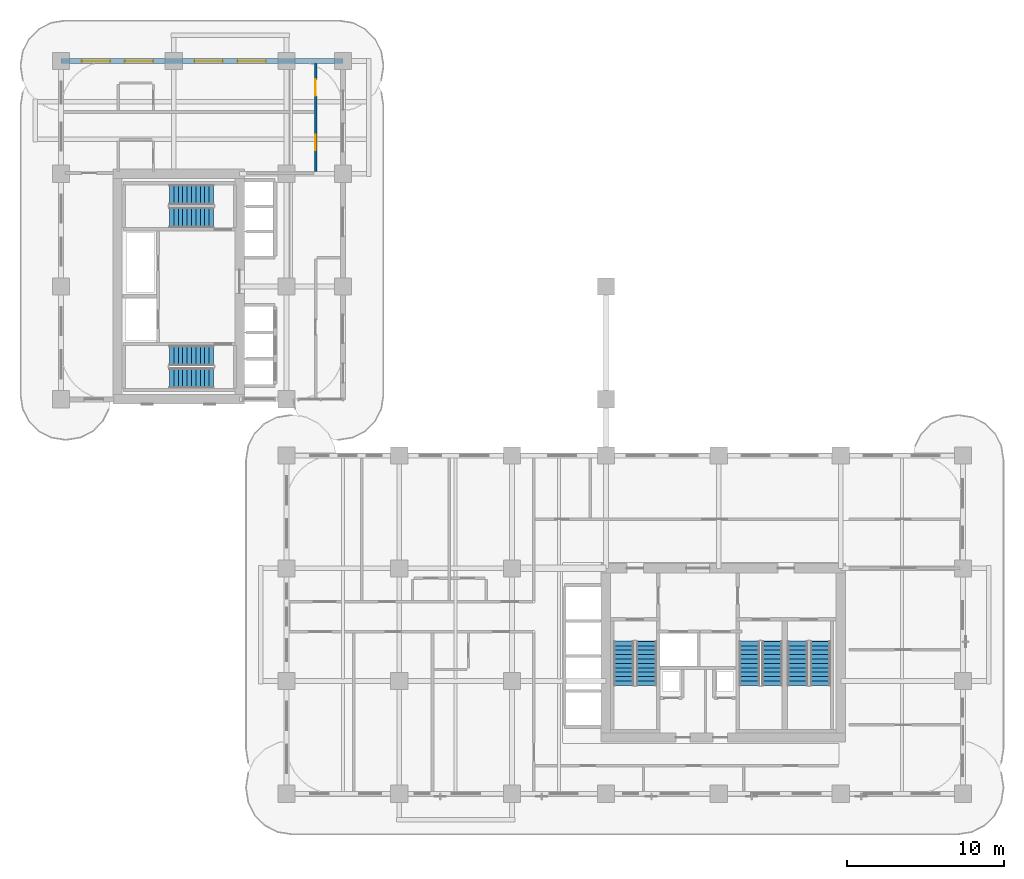
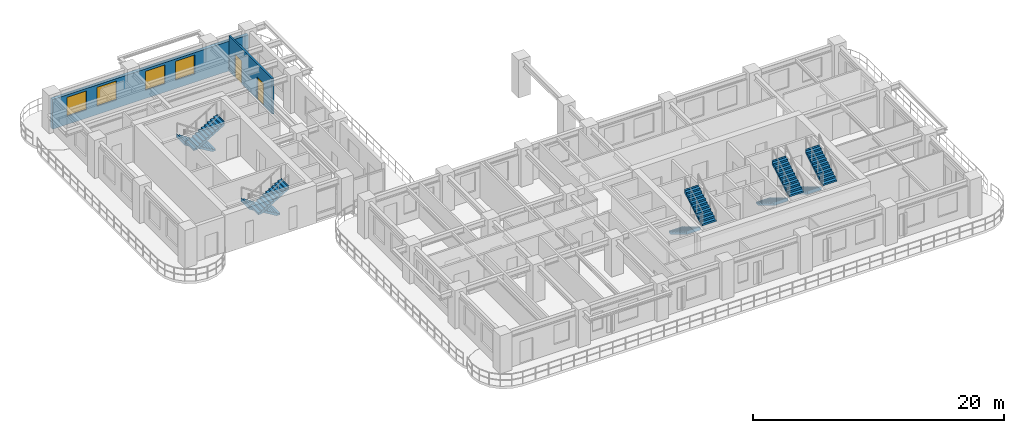
# One storey, part 12 of 19: 10 stair flights, 4 windows, 2 doors, 2 walls, 6 openings, 5 elements without a shape of their own.
"""IFC4 building model written with IfcOpenShell, lengths in metres."""

from ifc_helpers import new_model, si_unit, derived_unit, direction, frame, frame_2d, origin, place, context, subcontext, project, spatial, polyline, rectangle, outline, extrude, source, transform, mapped, material, layer, layer_set, type_object, type_shapes, element, fill, aggregate, save


model = new_model("IFC4")

# Units and contexts
model_context = context("Model", 3, precision=1e-05, world=origin(), true_north=direction((0.0, 1.0)))
body_context = subcontext(model_context, "Body", "Model", "MODEL_VIEW")
ifc_project = project(units=[si_unit("LENGTHUNIT", "METRE"), si_unit("AREAUNIT", "SQUARE_METRE"), si_unit("VOLUMEUNIT", "CUBIC_METRE"), si_unit("PLANEANGLEUNIT", "RADIAN"), si_unit("MASSUNIT", "GRAM", prefix="KILO"), si_unit("THERMODYNAMICTEMPERATUREUNIT", "KELVIN"), si_unit("POWERUNIT", "WATT"), derived_unit("THERMALTRANSMITTANCEUNIT", [(si_unit("POWERUNIT", "WATT"), 1), (si_unit("AREAUNIT", "SQUARE_METRE"), -1), (si_unit("THERMODYNAMICTEMPERATUREUNIT", "KELVIN"), -1)])], contexts=[model_context])

# Site, building, storey
site_placement = place(None, origin())
site = spatial("IfcSite", under=ifc_project, at=site_placement, CompositionType="ELEMENT")
building_placement = place(site_placement, origin())
building = spatial("IfcBuilding", under=site, at=building_placement, Name="Zahravan Archway Hotel and Residences", CompositionType="ELEMENT")
storey_placement = place(building_placement, frame((0.0, 0.0, 54.60009765625)))
storey = spatial("IfcBuildingStorey", under=building, at=storey_placement, Name="L12", CompositionType="ELEMENT", Elevation=54.60009765625)

# Wall, openings, windows
ifc_material_1 = material(Name="Agra Buff Sandstone & Insulated Backup", Category="masonry")
ifc_layer_1 = layer(ifc_material_1, 0.320068359375, Name="Agra Buff Sandstone & Insulated Backup", Category="masonry")
ifc_layer_set_1 = layer_set([ifc_layer_1], Name="Agra Buff Sandstone & Insulated Backup")
wall_type_1 = type_object("IfcWallType", Name="EW-SAND-320", PredefinedType="SOLIDWALL", material=ifc_layer_set_1)
wall_1_placement = place(storey_placement, frame((0.0, 46.800048828125, 0.0), z_axis=(0.0, 0.0, 1.0), x_axis=(1.0, 0.0, 0.0)))
wall_1 = element("IfcWall", 1, at=wall_1_placement, inside=storey, type_object=wall_type_1, Name="L12 Exterior Sandstone Wall WB-N", PredefinedType="SOLIDWALL", context=body_context, shape_type="SweptSolid", body=[
    extrude(rectangle(XDim=18.0, YDim=0.320068359375, at=frame_2d((9.0, 0.0))), origin(), (0.0, 0.0, 1.0), 2.885009765625),
])
opening_1_placement = place(wall_1_placement, frame((1.324951171875, 0.0, 0.800048828125)))
opening_1 = element("IfcOpeningElement", 2, at=opening_1_placement, cuts=wall_1, Name="Opening W-02", PredefinedType="OPENING", context=body_context, shape_type="SweptSolid", body=[
    extrude(rectangle(XDim=1.800048828125, YDim=1.85009765625, at=frame_2d((0.89990234375, 0.925048828125))), frame((0.0, 0.169921875, 0.0), z_axis=(0.0, -1.0, 0.0), x_axis=(1.0, 0.0, 0.0)), (0.0, 0.0, 1.0), 0.340087890625),
])
opening_2_placement = place(wall_1_placement, frame((4.074951171875, 0.0, 0.800048828125)))
opening_2 = element("IfcOpeningElement", 3, at=opening_2_placement, cuts=wall_1, Name="Opening W-02", PredefinedType="OPENING", context=body_context, shape_type="SweptSolid", body=[
    extrude(rectangle(XDim=1.800048828125, YDim=1.85009765625, at=frame_2d((0.89990234375, 0.925048828125))), frame((0.0, 0.169921875, 0.0), z_axis=(0.0, -1.0, 0.0), x_axis=(1.0, 0.0, 0.0)), (0.0, 0.0, 1.0), 0.340087890625),
])
opening_3_placement = place(wall_1_placement, frame((8.52490234375, 0.0, 0.800048828125)))
opening_3 = element("IfcOpeningElement", 4, at=opening_3_placement, cuts=wall_1, Name="Opening W-02", PredefinedType="OPENING", context=body_context, shape_type="SweptSolid", body=[
    extrude(rectangle(XDim=1.800048828125, YDim=1.85009765625, at=frame_2d((0.89990234375, 0.925048828125))), frame((0.0, 0.169921875, 0.0), z_axis=(0.0, -1.0, 0.0), x_axis=(1.0, 0.0, 0.0)), (0.0, 0.0, 1.0), 0.340087890625),
])
opening_4_placement = place(wall_1_placement, frame((11.27490234375, 0.0, 0.800048828125)))
opening_4 = element("IfcOpeningElement", 5, at=opening_4_placement, cuts=wall_1, Name="Opening W-02", PredefinedType="OPENING", context=body_context, shape_type="SweptSolid", body=[
    extrude(rectangle(XDim=1.800048828125, YDim=1.85009765625, at=frame_2d((0.89990234375, 0.925048828125))), frame((0.0, 0.169921875, 0.0), z_axis=(0.0, -1.0, 0.0), x_axis=(1.0, 0.0, 0.0)), (0.0, 0.0, 1.0), 0.340087890625),
])
ifc_material_2 = material(Name="Bronze-Anodized Thermal-Break Aluminium & Low-E Glass", Category="aluminium")
window_type = type_object("IfcWindowType", Name="WIN-TWR-1800", PartitioningType="DOUBLE_PANEL_VERTICAL", PredefinedType="WINDOW", material=ifc_material_2)
shared_shape_1 = source(origin(), body_context, "Body", "SweptSolid", [
    extrude(rectangle(XDim=1.800048828125, YDim=1.85009765625, at=frame_2d((0.89990234375, 0.925048828125))), frame((0.0, 0.030029296875, 0.0), z_axis=(0.0, -1.0, 0.0), x_axis=(1.0, 0.0, 0.0)), (0.0, 0.0, 1.0), 0.06005859375),
])
type_shapes(window_type, [shared_shape_1])
window_1_placement = place(opening_1_placement, origin())
window_1 = element("IfcWindow", 6, at=window_1_placement, inside=storey, type_object=window_type, Name="L12 Loggia Window 37", OverallHeight=1.85009765625, OverallWidth=1.800048828125, PartitioningType="DOUBLE_PANEL_VERTICAL", PredefinedType="WINDOW", context=body_context, shape_type="MappedRepresentation", body=[
    mapped(shared_shape_1, transform((0.0, 0.0, 0.0), scale=1.0)),
])
fill(opening_1, window_1)
window_2_placement = place(opening_2_placement, origin())
window_2 = element("IfcWindow", 7, at=window_2_placement, inside=storey, type_object=window_type, Name="L12 Loggia Window 38", OverallHeight=1.85009765625, OverallWidth=1.800048828125, PartitioningType="DOUBLE_PANEL_VERTICAL", PredefinedType="WINDOW", context=body_context, shape_type="MappedRepresentation", body=[
    mapped(shared_shape_1, transform((0.0, 0.0, 0.0), scale=1.0)),
])
fill(opening_2, window_2)
window_3_placement = place(opening_3_placement, origin())
window_3 = element("IfcWindow", 8, at=window_3_placement, inside=storey, type_object=window_type, Name="L12 Loggia Window 39", OverallHeight=1.85009765625, OverallWidth=1.800048828125, PartitioningType="DOUBLE_PANEL_VERTICAL", PredefinedType="WINDOW", context=body_context, shape_type="MappedRepresentation", body=[
    mapped(shared_shape_1, transform((0.0, 0.0, 0.0), scale=1.0)),
])
fill(opening_3, window_3)
window_4_placement = place(opening_4_placement, origin())
window_4 = element("IfcWindow", 9, at=window_4_placement, inside=storey, type_object=window_type, Name="L12 Loggia Window 40", OverallHeight=1.85009765625, OverallWidth=1.800048828125, PartitioningType="DOUBLE_PANEL_VERTICAL", PredefinedType="WINDOW", context=body_context, shape_type="MappedRepresentation", body=[
    mapped(shared_shape_1, transform((0.0, 0.0, 0.0), scale=1.0)),
])
fill(opening_4, window_4)

# Wall, openings, doors
ifc_material_3 = material(Name="Fire-Rated Gypsum & Concrete Block", Category="concrete")
ifc_layer_2 = layer(ifc_material_3, 0.159912109375, Name="Fire-Rated Gypsum & Concrete Block", Category="concrete")
ifc_layer_set_2 = layer_set([ifc_layer_2], Name="Fire-Rated Gypsum & Concrete Block")
wall_type_2 = type_object("IfcWallType", Name="PW-CORR-160", PredefinedType="PARTITIONING", material=ifc_layer_set_2)
wall_2_placement = place(storey_placement, frame((16.25, 39.739990234375, 0.0), z_axis=(0.0, 0.0, 1.0), x_axis=(0.0, 1.0, 0.0)))
wall_2 = element("IfcWall", 10, at=wall_2_placement, inside=storey, type_object=wall_type_2, Name="L12 Partition WB-CN", PredefinedType="PARTITIONING", context=body_context, shape_type="SweptSolid", body=[
    extrude(rectangle(XDim=6.89208984375, YDim=0.159912109375, at=frame_2d((3.446044921875, 0.0))), origin(), (0.0, 0.0, 1.0), 3.449951171875),
])
opening_5_placement = place(wall_2_placement, frame((1.360107421875, 0.0, 0.0)))
opening_5 = element("IfcOpeningElement", 11, at=opening_5_placement, cuts=wall_2, Name="Opening D-U2", PredefinedType="OPENING", context=body_context, shape_type="SweptSolid", body=[
    extrude(rectangle(XDim=1.0, YDim=2.199951171875, at=frame_2d((0.5, 1.10009765625))), frame((0.0, 0.08984375, 0.0), z_axis=(0.0, -1.0, 0.0), x_axis=(1.0, 0.0, 0.0)), (0.0, 0.0, 1.0), 0.179931640625),
])
opening_6_placement = place(wall_2_placement, frame((4.8349609375, 0.0, 0.0)))
opening_6 = element("IfcOpeningElement", 12, at=opening_6_placement, cuts=wall_2, Name="Opening D-U1", PredefinedType="OPENING", context=body_context, shape_type="SweptSolid", body=[
    extrude(rectangle(XDim=1.050048828125, YDim=2.25, at=frame_2d((0.52490234375, 1.125))), frame((0.0, 0.08984375, 0.0), z_axis=(0.0, -1.0, 0.0), x_axis=(1.0, 0.0, 0.0)), (0.0, 0.0, 1.0), 0.179931640625),
])
ifc_material_4 = material(Name="Hardwood Veneer Timber", Category="wood")
door_type_1 = type_object("IfcDoorType", Name="ID-UNIT-1050", OperationType="NOTDEFINED", PredefinedType="DOOR", material=ifc_material_4)
shared_shape_2 = source(origin(), body_context, "Body", "SweptSolid", [
    extrude(rectangle(XDim=1.050048828125, YDim=2.25, at=frame_2d((0.52490234375, 1.125))), frame((0.0, 0.02490234375, 0.0), z_axis=(0.0, -1.0, 0.0), x_axis=(1.0, 0.0, 0.0)), (0.0, 0.0, 1.0), 0.050048828125),
])
type_shapes(door_type_1, [shared_shape_2])
door_1_placement = place(opening_6_placement, origin())
door_1 = element("IfcDoor", 13, at=door_1_placement, inside=storey, type_object=door_type_1, Name="L12 Hotel Guestroom 62 Entrance Door", OperationType="SINGLE_SWING_LEFT", OverallHeight=2.25, OverallWidth=1.050048828125, PredefinedType="DOOR", context=body_context, shape_type="MappedRepresentation", body=[
    mapped(shared_shape_2, transform((0.0, 0.0, 0.0), scale=1.0)),
])
fill(opening_6, door_1)
door_type_2 = type_object("IfcDoorType", Name="ID-UNIT-1000", OperationType="NOTDEFINED", PredefinedType="DOOR", material=ifc_material_4)
shared_shape_3 = source(origin(), body_context, "Body", "SweptSolid", [
    extrude(rectangle(XDim=1.0, YDim=2.199951171875, at=frame_2d((0.5, 1.10009765625))), frame((0.0, 0.02490234375, 0.0), z_axis=(0.0, -1.0, 0.0), x_axis=(1.0, 0.0, 0.0)), (0.0, 0.0, 1.0), 0.050048828125),
])
type_shapes(door_type_2, [shared_shape_3])
door_2_placement = place(opening_5_placement, origin())
door_2 = element("IfcDoor", 14, at=door_2_placement, inside=storey, type_object=door_type_2, Name="L12 Hotel Guestroom 61 Entrance Door", OperationType="SINGLE_SWING_LEFT", OverallHeight=2.199951171875, OverallWidth=1.0, PredefinedType="DOOR", context=body_context, shape_type="MappedRepresentation", body=[
    mapped(shared_shape_3, transform((0.0, 0.0, 0.0), scale=1.0)),
])
fill(opening_5, door_2)

# Stair, stair flights
ifc_material_5 = material(Name="Concrete C50/60", Category="concrete")
stair_type = type_object("IfcStairType", Name="STR-CORE-1300", PredefinedType="HALF_TURN_STAIR", material=ifc_material_5)
stair_1_placement = place(storey_placement, origin())
stair_1 = element("IfcStair", 15, at=stair_1_placement, inside=storey, type_object=stair_type, Name="L12 Core A Exit Stair 1", PredefinedType="HALF_TURN_STAIR")
ifc_layer_3 = layer(ifc_material_5, 0.199951171875, Name="Concrete C50/60", Category="concrete")
ifc_layer_set_3 = layer_set([ifc_layer_3], Name="Concrete C50/60")
stair_flight_type = type_object("IfcStairFlightType", Name="SFL-CORE-1300", PredefinedType="STRAIGHT", material=ifc_layer_set_3)
shared_shape_4 = source(origin(), body_context, "Body", "SweptSolid", [
    extrude(outline(polyline([(-0.01611328125, 0.0), (-0.01611328125, 0.168212890625), (0.280029296875, 0.168212890625), (0.280029296875, 0.33642578125), (0.56005859375, 0.33642578125), (0.56005859375, 0.504638671875), (0.840087890625, 0.504638671875), (0.840087890625, 0.672607421875), (1.1201171875, 0.672607421875), (1.1201171875, 0.8408203125), (1.39990234375, 0.8408203125), (1.39990234375, 1.009033203125), (1.679931640625, 1.009033203125), (1.679931640625, 1.17724609375), (1.9599609375, 1.17724609375), (1.9599609375, 1.345458984375), (2.239990234375, 1.345458984375), (2.239990234375, 1.513671875), (2.52001953125, 1.513671875), (2.52001953125, 1.681884765625), (2.800048828125, 1.681884765625), (2.800048828125, 1.85009765625), (2.816162109375, 1.85009765625), (2.816162109375, 1.5068359375), (0.291015625, 0.0), (-0.01611328125, 0.0)])), frame((0.0, 0.64990234375, 0.0), z_axis=(0.0, -1.0, 0.0), x_axis=(1.0, 0.0, 0.0)), (0.0, 0.0, 1.0), 1.300048828125),
])
stair_flight_1_placement = place(storey_placement, frame((35.949951171875, 9.72998046875, 0.0), z_axis=(0.0, 0.0, 1.0), x_axis=(0.0, -1.0, 0.0)))
stair_flight_1 = element("IfcStairFlight", 16, at=stair_flight_1_placement, type_object=stair_flight_type, Name="ST-A1 flight 1", NumberOfRisers=11, NumberOfTreads=10, PredefinedType="STRAIGHT", RiserHeight=0.168181818, TreadLength=0.28, context=body_context, shape_type="MappedRepresentation", body=[
    mapped(shared_shape_4, transform((0.0, 0.0, 0.0), scale=1.0)),
])
stair_flight_2_placement = place(storey_placement, frame((37.389892578125, 6.929931640625, 1.849853515625), z_axis=(0.0, 0.0, 1.0), x_axis=(0.0, 1.0, 0.0)))
stair_flight_2 = element("IfcStairFlight", 17, at=stair_flight_2_placement, type_object=stair_flight_type, Name="ST-A1 flight 2", NumberOfRisers=11, NumberOfTreads=10, PredefinedType="STRAIGHT", RiserHeight=0.168181818, TreadLength=0.28, context=body_context, shape_type="MappedRepresentation", body=[
    mapped(shared_shape_4, transform((0.0, 0.0, 0.0), scale=1.0)),
])
aggregate(stair_1, [stair_flight_1, stair_flight_2])

stair_2_placement = place(storey_placement, origin())
stair_2 = element("IfcStair", 18, at=stair_2_placement, inside=storey, type_object=stair_type, Name="L12 Core A Exit Stair 2", PredefinedType="HALF_TURN_STAIR")
stair_flight_3_placement = place(storey_placement, frame((43.969970703125, 9.72998046875, 0.0), z_axis=(0.0, 0.0, 1.0), x_axis=(0.0, -1.0, 0.0)))
stair_flight_3 = element("IfcStairFlight", 19, at=stair_flight_3_placement, type_object=stair_flight_type, Name="ST-A2 flight 1", NumberOfRisers=11, NumberOfTreads=10, PredefinedType="STRAIGHT", RiserHeight=0.168181818, TreadLength=0.28, context=body_context, shape_type="MappedRepresentation", body=[
    mapped(shared_shape_4, transform((0.0, 0.0, 0.0), scale=1.0)),
])
stair_flight_4_placement = place(storey_placement, frame((45.409912109375, 6.929931640625, 1.849853515625), z_axis=(0.0, 0.0, 1.0), x_axis=(0.0, 1.0, 0.0)))
stair_flight_4 = element("IfcStairFlight", 20, at=stair_flight_4_placement, type_object=stair_flight_type, Name="ST-A2 flight 2", NumberOfRisers=11, NumberOfTreads=10, PredefinedType="STRAIGHT", RiserHeight=0.168181818, TreadLength=0.28, context=body_context, shape_type="MappedRepresentation", body=[
    mapped(shared_shape_4, transform((0.0, 0.0, 0.0), scale=1.0)),
])
aggregate(stair_2, [stair_flight_3, stair_flight_4])

stair_3_placement = place(storey_placement, origin())
stair_3 = element("IfcStair", 21, at=stair_3_placement, inside=storey, type_object=stair_type, Name="L12 Core A Exit Stair 3", PredefinedType="HALF_TURN_STAIR")
stair_flight_5_placement = place(storey_placement, frame((47.050048828125, 9.72998046875, 0.0), z_axis=(0.0, 0.0, 1.0), x_axis=(0.0, -1.0, 0.0)))
stair_flight_5 = element("IfcStairFlight", 22, at=stair_flight_5_placement, type_object=stair_flight_type, Name="ST-A3 flight 1", NumberOfRisers=11, NumberOfTreads=10, PredefinedType="STRAIGHT", RiserHeight=0.168181818, TreadLength=0.28, context=body_context, shape_type="MappedRepresentation", body=[
    mapped(shared_shape_4, transform((0.0, 0.0, 0.0), scale=1.0)),
])
stair_flight_6_placement = place(storey_placement, frame((48.489990234375, 6.929931640625, 1.849853515625), z_axis=(0.0, 0.0, 1.0), x_axis=(0.0, 1.0, 0.0)))
stair_flight_6 = element("IfcStairFlight", 23, at=stair_flight_6_placement, type_object=stair_flight_type, Name="ST-A3 flight 2", NumberOfRisers=11, NumberOfTreads=10, PredefinedType="STRAIGHT", RiserHeight=0.168181818, TreadLength=0.28, context=body_context, shape_type="MappedRepresentation", body=[
    mapped(shared_shape_4, transform((0.0, 0.0, 0.0), scale=1.0)),
])
aggregate(stair_3, [stair_flight_5, stair_flight_6])

stair_4_placement = place(storey_placement, origin())
stair_4 = element("IfcStair", 24, at=stair_4_placement, inside=storey, type_object=stair_type, Name="L12 Core B Exit Stair 1", PredefinedType="HALF_TURN_STAIR")
stair_flight_7_placement = place(storey_placement, frame((9.72998046875, 27.989990234375, 0.0), z_axis=(0.0, 0.0, 1.0), x_axis=(-1.0, 0.0, 0.0)))
stair_flight_7 = element("IfcStairFlight", 25, at=stair_flight_7_placement, type_object=stair_flight_type, Name="ST-B1 flight 1", NumberOfRisers=11, NumberOfTreads=10, PredefinedType="STRAIGHT", RiserHeight=0.168181818, TreadLength=0.28, context=body_context, shape_type="MappedRepresentation", body=[
    mapped(shared_shape_4, transform((0.0, 0.0, 0.0), scale=1.0)),
])
stair_flight_8_placement = place(storey_placement, frame((6.929931640625, 26.550048828125, 1.849853515625), z_axis=(0.0, 0.0, 1.0), x_axis=(1.0, 0.0, 0.0)))
stair_flight_8 = element("IfcStairFlight", 26, at=stair_flight_8_placement, type_object=stair_flight_type, Name="ST-B1 flight 2", NumberOfRisers=11, NumberOfTreads=10, PredefinedType="STRAIGHT", RiserHeight=0.168181818, TreadLength=0.28, context=body_context, shape_type="MappedRepresentation", body=[
    mapped(shared_shape_4, transform((0.0, 0.0, 0.0), scale=1.0)),
])
aggregate(stair_4, [stair_flight_7, stair_flight_8])

stair_5_placement = place(storey_placement, origin())
stair_5 = element("IfcStair", 27, at=stair_5_placement, inside=storey, type_object=stair_type, Name="L12 Core B Exit Stair 2", PredefinedType="HALF_TURN_STAIR")
stair_flight_9_placement = place(storey_placement, frame((9.72998046875, 38.25, 0.0), z_axis=(0.0, 0.0, 1.0), x_axis=(-1.0, 0.0, 0.0)))
stair_flight_9 = element("IfcStairFlight", 28, at=stair_flight_9_placement, type_object=stair_flight_type, Name="ST-B2 flight 1", NumberOfRisers=11, NumberOfTreads=10, PredefinedType="STRAIGHT", RiserHeight=0.168181818, TreadLength=0.28, context=body_context, shape_type="MappedRepresentation", body=[
    mapped(shared_shape_4, transform((0.0, 0.0, 0.0), scale=1.0)),
])
stair_flight_10_placement = place(storey_placement, frame((6.929931640625, 36.81005859375, 1.849853515625), z_axis=(0.0, 0.0, 1.0), x_axis=(1.0, 0.0, 0.0)))
stair_flight_10 = element("IfcStairFlight", 29, at=stair_flight_10_placement, type_object=stair_flight_type, Name="ST-B2 flight 2", NumberOfRisers=11, NumberOfTreads=10, PredefinedType="STRAIGHT", RiserHeight=0.168181818, TreadLength=0.28, context=body_context, shape_type="MappedRepresentation", body=[
    mapped(shared_shape_4, transform((0.0, 0.0, 0.0), scale=1.0)),
])
aggregate(stair_5, [stair_flight_9, stair_flight_10])

save(model, "model.ifc")
